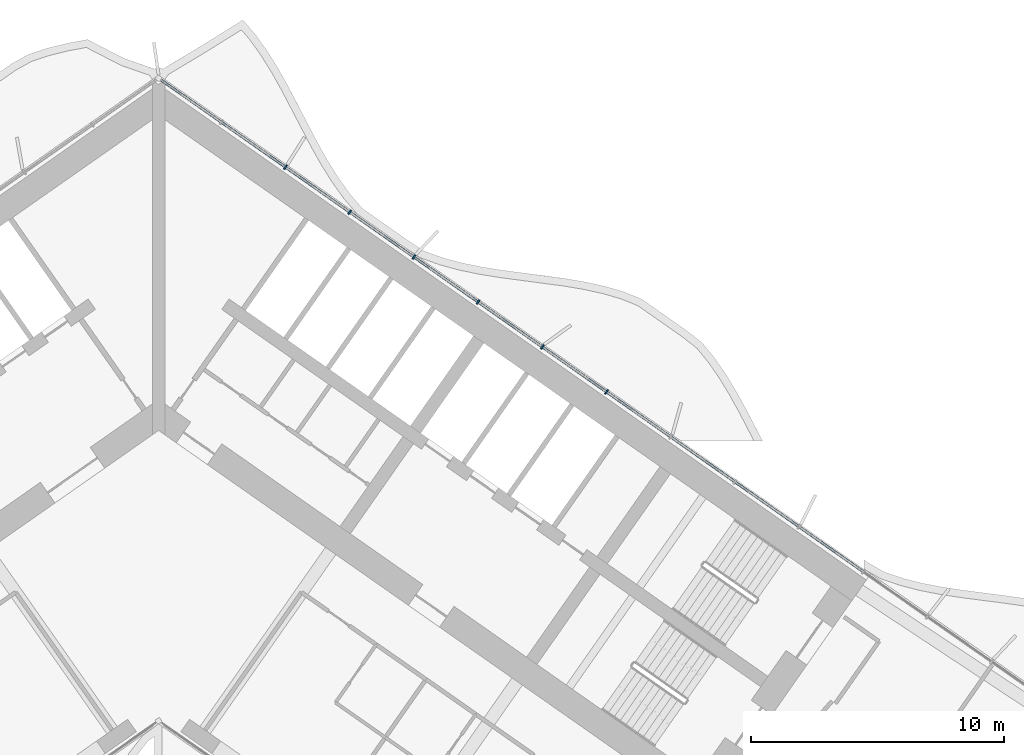
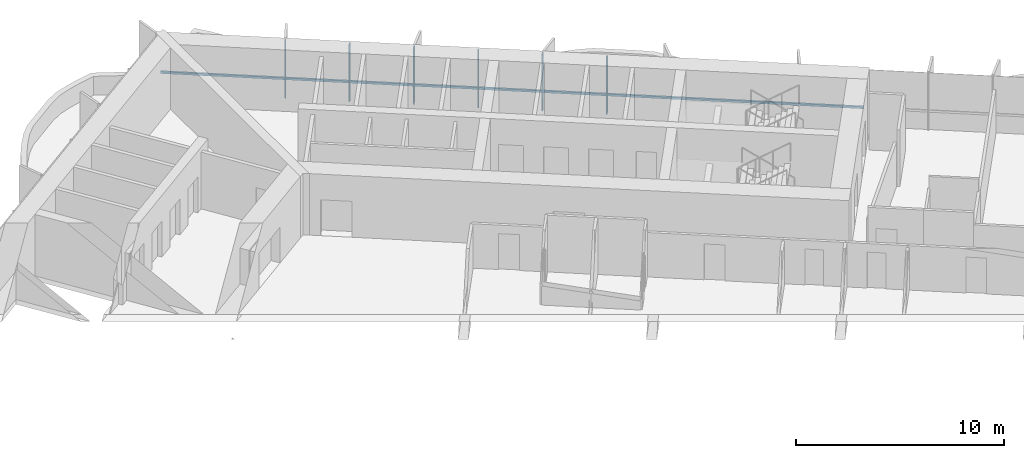
# One storey, part 8 of 23: 7 members, 1 element without a shape of its own.
"""IFC4 building model written with IfcOpenShell, lengths in metres."""

from ifc_helpers import new_model, si_unit, direction, frame, origin, origin_2d, place, context, subcontext, project, spatial, rectangle, extrude, material, material_profile, profile_set, type_object, element, aggregate, save


model = new_model("IFC4")

# Units and contexts
model_context = context("Model", 3, precision=1e-05, world=origin(), true_north=direction((0.0, 1.0)))
body_context = subcontext(model_context, "Body", "Model", "MODEL_VIEW")
ifc_project = project(units=[si_unit("LENGTHUNIT", "METRE"), si_unit("AREAUNIT", "SQUARE_METRE"), si_unit("VOLUMEUNIT", "CUBIC_METRE"), si_unit("PLANEANGLEUNIT", "RADIAN"), si_unit("MASSUNIT", "GRAM", prefix="KILO")], contexts=[model_context])

# Site, building, storey
site_placement = place(None, origin())
site = spatial("IfcSite", under=ifc_project, at=site_placement, CompositionType="ELEMENT")
building_placement = place(site_placement, origin())
building = spatial("IfcBuilding", under=site, at=building_placement, Name="Tel Ilan Convention Tower", CompositionType="ELEMENT")
storey_placement = place(building_placement, frame((0.0, 0.0, 86.89990234375)))
storey = spatial("IfcBuildingStorey", under=building, at=storey_placement, Name="L17", CompositionType="ELEMENT", Elevation=86.89990234375)

# Curtain wall, members
ifc_material_1 = material(Name="Aluminium, bronze anodised", Category="aluminium")
curtain_wall_type = type_object("IfcCurtainWallType", Name="CW2 STICK CURTAIN WALL, SPANDREL PANELS", PredefinedType="NOTDEFINED", material=ifc_material_1)
curtain_wall_placement = place(storey_placement, origin())
curtain_wall = element("IfcCurtainWall", 1, at=curtain_wall_placement, inside=storey, type_object=curtain_wall_type, Name="Curtain wall CW2-15.01", PredefinedType="NOTDEFINED")
ifc_material_2 = material(Name="Aluminium, bronze anodised", Category="aluminium")
ifc_material_profile_1 = material_profile(ifc_material_2, rectangle(XDim=0.06005859375, YDim=0.199951171875, at=origin_2d()), Name="CW MULLION 60x200")
ifc_profile_set_1 = profile_set([ifc_material_profile_1], Name="Aluminium, bronze anodised")
member_type_1 = type_object("IfcMemberType", Name="CW MULLION 60x200", PredefinedType="MULLION", material=ifc_profile_set_1)
member_1_placement = place(storey_placement, frame((17.701171875, 0.301513671875, 0.0), z_axis=(0.0, 0.0, 1.0), x_axis=(-0.819152044289, 0.573576436351, 0.0)))
member_1 = element("IfcMember", 2, at=member_1_placement, type_object=member_type_1, Name="Mullion", PredefinedType="MULLION", context=body_context, shape_type="SweptSolid", body=[
    extrude(rectangle(XDim=0.06005859375, YDim=0.199951171875, at=origin_2d()), origin(), (0.0, 0.0, 1.0), 3.320068359375),
])
member_2_placement = place(storey_placement, frame((15.1640625, 2.077880859375, 0.0), z_axis=(0.0, 0.0, 1.0), x_axis=(-0.819152044289, 0.573576436351, 0.0)))
member_2 = element("IfcMember", 3, at=member_2_placement, type_object=member_type_1, Name="Mullion", PredefinedType="MULLION", context=body_context, shape_type="SweptSolid", body=[
    extrude(rectangle(XDim=0.06005859375, YDim=0.199951171875, at=origin_2d()), origin(), (0.0, 0.0, 1.0), 3.320068359375),
])
member_3_placement = place(storey_placement, frame((12.627197265625, 3.854248046875, 0.0), z_axis=(0.0, 0.0, 1.0), x_axis=(-0.819152044289, 0.573576436351, 0.0)))
member_3 = element("IfcMember", 4, at=member_3_placement, type_object=member_type_1, Name="Mullion", PredefinedType="MULLION", context=body_context, shape_type="SweptSolid", body=[
    extrude(rectangle(XDim=0.06005859375, YDim=0.199951171875, at=origin_2d()), origin(), (0.0, 0.0, 1.0), 3.320068359375),
])
member_4_placement = place(storey_placement, frame((10.09033203125, 5.630615234375, 0.0), z_axis=(0.0, 0.0, 1.0), x_axis=(-0.819152044289, 0.573576436351, 0.0)))
member_4 = element("IfcMember", 5, at=member_4_placement, type_object=member_type_1, Name="Mullion", PredefinedType="MULLION", context=body_context, shape_type="SweptSolid", body=[
    extrude(rectangle(XDim=0.06005859375, YDim=0.199951171875, at=origin_2d()), origin(), (0.0, 0.0, 1.0), 3.320068359375),
])
member_5_placement = place(storey_placement, frame((7.553466796875, 7.406982421875, 0.0), z_axis=(0.0, 0.0, 1.0), x_axis=(-0.819152044289, 0.573576436351, 0.0)))
member_5 = element("IfcMember", 6, at=member_5_placement, type_object=member_type_1, Name="Mullion", PredefinedType="MULLION", context=body_context, shape_type="SweptSolid", body=[
    extrude(rectangle(XDim=0.06005859375, YDim=0.199951171875, at=origin_2d()), origin(), (0.0, 0.0, 1.0), 3.320068359375),
])
member_6_placement = place(storey_placement, frame((5.0166015625, 9.18359375, 0.0), z_axis=(0.0, 0.0, 1.0), x_axis=(-0.819152044289, 0.573576436351, 0.0)))
member_6 = element("IfcMember", 7, at=member_6_placement, type_object=member_type_1, Name="Mullion", PredefinedType="MULLION", context=body_context, shape_type="SweptSolid", body=[
    extrude(rectangle(XDim=0.06005859375, YDim=0.199951171875, at=origin_2d()), origin(), (0.0, 0.0, 1.0), 3.320068359375),
])
ifc_material_3 = material(Name="Aluminium, bronze anodised", Category="aluminium")
ifc_material_profile_2 = material_profile(ifc_material_3, rectangle(XDim=0.10009765625, YDim=0.1201171875, at=origin_2d()), Name="CW TRANSOM 100x120")
ifc_profile_set_2 = profile_set([ifc_material_profile_2], Name="Aluminium, bronze anodised")
member_type_2 = type_object("IfcMemberType", Name="CW TRANSOM 100x120", PredefinedType="USERDEFINED", material=ifc_profile_set_2)
member_7_placement = place(storey_placement, frame((27.82421875, -6.78662109375, 1.10009765625), z_axis=(-0.819151916241, 0.573576619222, 0.0), x_axis=(-0.573576619222, -0.819151916241, 0.0)))
member_7 = element("IfcMember", 8, at=member_7_placement, type_object=member_type_2, Name="Transom", ObjectType="TRANSOM", PredefinedType="USERDEFINED", context=body_context, shape_type="SweptSolid", body=[
    extrude(rectangle(XDim=0.10009765625, YDim=0.1201171875, at=origin_2d()), origin(), (0.0, 0.0, 1.0), 33.837158203125),
])
aggregate(curtain_wall, [member_1, member_2, member_3, member_4, member_5, member_6, member_7])

save(model, "model.ifc")
